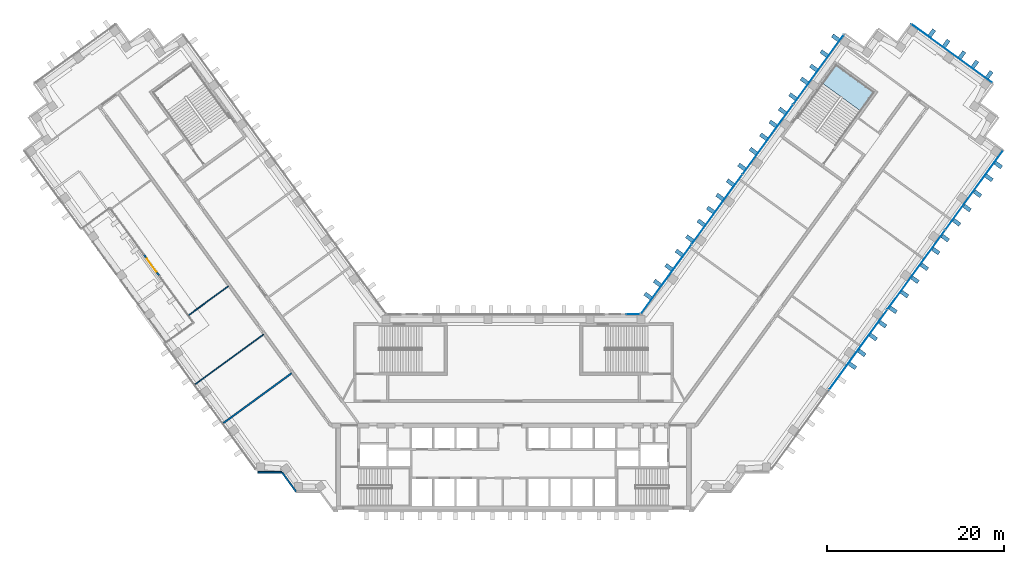
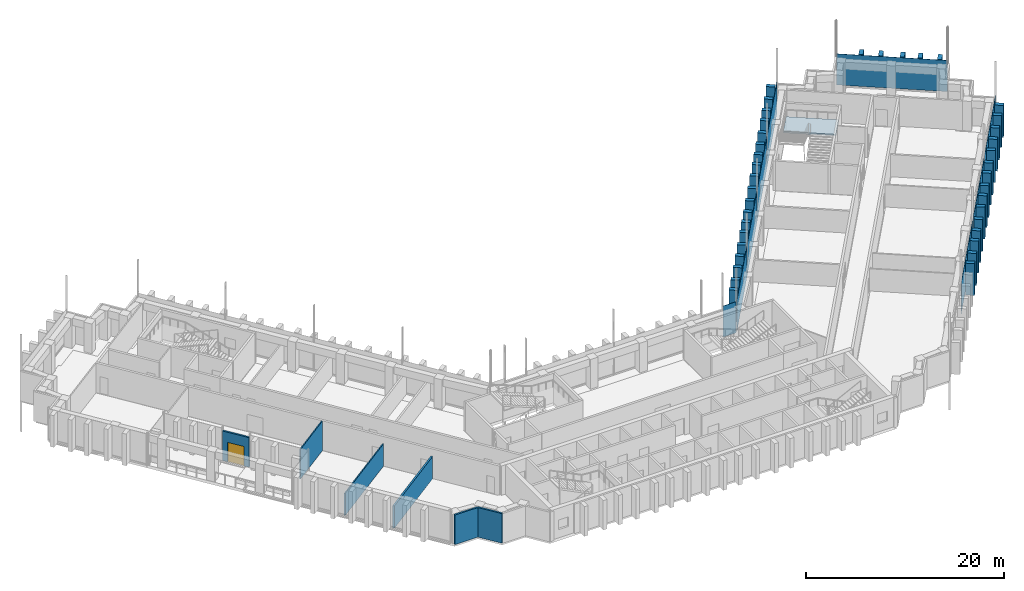
# One storey, part 9 of 19: 48 plates, 6 walls, 1 door, 1 slab, 1 opening, 5 elements without a shape of their own.
"""IFC4 building model written with IfcOpenShell, lengths in metres."""

from ifc_helpers import new_model, si_unit, direction, frame, frame_2d, origin, origin_2d, place, context, subcontext, project, spatial, polyline, rectangle, outline, extrude, material, layer, layer_set, type_object, element, fill, aggregate, save


model = new_model("IFC4")

# Units and contexts
model_context = context("Model", 3, precision=1e-05, world=origin(), true_north=direction((0.0, 1.0)))
body_context = subcontext(model_context, "Body", "Model", "MODEL_VIEW")
ifc_project = project(units=[si_unit("LENGTHUNIT", "METRE"), si_unit("AREAUNIT", "SQUARE_METRE"), si_unit("VOLUMEUNIT", "CUBIC_METRE"), si_unit("PLANEANGLEUNIT", "RADIAN"), si_unit("MASSUNIT", "GRAM", prefix="KILO")], contexts=[model_context])

# Site, building, storey
site_placement = place(None, origin())
site = spatial("IfcSite", under=ifc_project, at=site_placement, CompositionType="ELEMENT")
building_placement = place(site_placement, origin())
building = spatial("IfcBuilding", under=site, at=building_placement, Name="Quipu Civic Tower", CompositionType="ELEMENT")
storey_placement = place(building_placement, frame((0.0, 0.0, 47.0)))
storey = spatial("IfcBuildingStorey", under=building, at=storey_placement, Name="L10", CompositionType="ELEMENT", Elevation=47.0)

# Curtain wall, plates
ifc_material_1 = material(Name="Insulated glass unit", Category="glass")
curtain_wall_type = type_object("IfcCurtainWallType", Name="Office curtain wall CW1", PredefinedType="NOTDEFINED", material=ifc_material_1)
curtain_wall_1_placement = place(storey_placement, origin())
curtain_wall_1 = element("IfcCurtainWall", 1, at=curtain_wall_1_placement, inside=storey, type_object=curtain_wall_type, Name="Office curtain wall CW1 L09 run 19", PredefinedType="NOTDEFINED")
ifc_material_2 = material(Name="Insulated glass unit", Category="glass")
ifc_layer_1 = layer(ifc_material_2, 0.028076171875)
ifc_layer_set_1 = layer_set([ifc_layer_1], Name="Insulated glass unit")
plate_type_1 = type_object("IfcPlateType", Name="Glass panel CW1", PredefinedType="CURTAIN_PANEL", material=ifc_layer_set_1)
plate_1_placement = place(storey_placement, frame((38.880126953125, 7.101806640625, 0.16015625), z_axis=(0.0, 0.0, 1.0), x_axis=(0.587785559869, 0.809016770908, 0.0)))
plate_1 = element("IfcPlate", 2, at=plate_1_placement, type_object=plate_type_1, Name="CW1 panel 2.2", PredefinedType="CURTAIN_PANEL", context=body_context, shape_type="SweptSolid", body=[
    extrude(rectangle(XDim=11.062744140625, YDim=0.028076171875, at=origin_2d()), origin(), (0.0, 0.0, 1.0), 3.840087890625),
])
plate_2_placement = place(storey_placement, frame((45.4296875, 16.11669921875, 0.16015625), z_axis=(0.0, 0.0, 1.0), x_axis=(0.587785559869, 0.809016770908, 0.0)))
plate_2 = element("IfcPlate", 3, at=plate_2_placement, type_object=plate_type_1, Name="CW1 panel 3.2", PredefinedType="CURTAIN_PANEL", context=body_context, shape_type="SweptSolid", body=[
    extrude(rectangle(XDim=11.062744140625, YDim=0.028076171875, at=origin_2d()), origin(), (0.0, 0.0, 1.0), 3.840087890625),
])
plate_3_placement = place(storey_placement, frame((51.967529296875, 25.114990234375, 0.16015625), z_axis=(0.0, 0.0, 1.0), x_axis=(0.587785559869, 0.809016770908, 0.0)))
plate_3 = element("IfcPlate", 4, at=plate_3_placement, type_object=plate_type_1, Name="CW1 panel 4.2", PredefinedType="CURTAIN_PANEL", context=body_context, shape_type="SweptSolid", body=[
    extrude(rectangle(XDim=11.022705078125, YDim=0.028076171875, at=origin_2d()), origin(), (0.0, 0.0, 1.0), 3.840087890625),
])
aggregate(curtain_wall_1, [plate_1, plate_2, plate_3])

# Curtain wall, plate
curtain_wall_2_placement = place(storey_placement, origin())
curtain_wall_2 = element("IfcCurtainWall", 5, at=curtain_wall_2_placement, inside=storey, type_object=curtain_wall_type, Name="Office curtain wall CW1 L09 run 24", PredefinedType="NOTDEFINED")
plate_4_placement = place(storey_placement, frame((49.447998046875, 40.53173828125, 0.16015625), z_axis=(0.0, 0.0, 1.0), x_axis=(-0.809019348124, 0.587782012621, 0.0)))
plate_4 = element("IfcPlate", 6, at=plate_4_placement, type_object=plate_type_1, Name="CW1 panel 1.2", PredefinedType="CURTAIN_PANEL", context=body_context, shape_type="SweptSolid", body=[
    extrude(rectangle(XDim=11.239990234375, YDim=0.028076171875, at=origin_2d()), origin(), (0.0, 0.0, 1.0), 3.840087890625),
])
aggregate(curtain_wall_2, [plate_4])

# Curtain wall, plates
curtain_wall_3_placement = place(storey_placement, origin())
curtain_wall_3 = element("IfcCurtainWall", 7, at=curtain_wall_3_placement, inside=storey, type_object=curtain_wall_type, Name="Office curtain wall CW1 L09 run 29", PredefinedType="NOTDEFINED")
plate_5_placement = place(storey_placement, frame((34.413330078125, 38.722900390625, 0.16015625), z_axis=(0.0, 0.0, 1.0), x_axis=(-0.587785887566, -0.809016532822, 0.0)))
plate_5 = element("IfcPlate", 8, at=plate_5_placement, type_object=plate_type_1, Name="CW1 panel 1.2", PredefinedType="CURTAIN_PANEL", context=body_context, shape_type="SweptSolid", body=[
    extrude(rectangle(XDim=9.64111328125, YDim=0.028076171875, at=origin_2d()), origin(), (0.0, 0.0, 1.0), 3.840087890625),
])
plate_6_placement = place(storey_placement, frame((28.687744140625, 30.84228515625, 0.16015625), z_axis=(0.0, 0.0, 1.0), x_axis=(-0.587785887566, -0.809016532822, 0.0)))
plate_6 = element("IfcPlate", 9, at=plate_6_placement, type_object=plate_type_1, Name="CW1 panel 2.2", PredefinedType="CURTAIN_PANEL", context=body_context, shape_type="SweptSolid", body=[
    extrude(rectangle(XDim=9.68115234375, YDim=0.028076171875, at=origin_2d()), origin(), (0.0, 0.0, 1.0), 3.840087890625),
])
plate_7_placement = place(storey_placement, frame((22.950439453125, 22.9453125, 0.16015625), z_axis=(0.0, 0.0, 1.0), x_axis=(-0.587785887566, -0.809016532822, 0.0)))
plate_7 = element("IfcPlate", 10, at=plate_7_placement, type_object=plate_type_1, Name="CW1 panel 3.2", PredefinedType="CURTAIN_PANEL", context=body_context, shape_type="SweptSolid", body=[
    extrude(rectangle(XDim=9.68115234375, YDim=0.028076171875, at=origin_2d()), origin(), (0.0, 0.0, 1.0), 3.840087890625),
])
plate_8_placement = place(storey_placement, frame((17.224609375, 15.064697265625, 0.16015625), z_axis=(0.0, 0.0, 1.0), x_axis=(-0.587785887566, -0.809016532822, 0.0)))
plate_8 = element("IfcPlate", 11, at=plate_8_placement, type_object=plate_type_1, Name="CW1 panel 4.2", PredefinedType="CURTAIN_PANEL", context=body_context, shape_type="SweptSolid", body=[
    extrude(rectangle(XDim=9.64111328125, YDim=0.028076171875, at=origin_2d()), origin(), (0.0, 0.0, 1.0), 3.840087890625),
])
aggregate(curtain_wall_3, [plate_5, plate_6, plate_7, plate_8])

# Curtain wall, plate
curtain_wall_4_placement = place(storey_placement, origin())
curtain_wall_4 = element("IfcCurtainWall", 12, at=curtain_wall_4_placement, inside=storey, type_object=curtain_wall_type, Name="Office curtain wall CW1 L09 run 30", PredefinedType="NOTDEFINED")
plate_9_placement = place(storey_placement, frame((13.49951171875, 11.10009765625, 0.16015625), z_axis=(0.0, 0.0, 1.0), x_axis=(-1.0, 0.0, 0.0)))
plate_9 = element("IfcPlate", 13, at=plate_9_placement, type_object=plate_type_1, Name="CW1 panel 1.2", PredefinedType="CURTAIN_PANEL", context=body_context, shape_type="SweptSolid", body=[
    extrude(rectangle(XDim=1.529296875, YDim=0.028076171875, at=origin_2d()), origin(), (0.0, 0.0, 1.0), 3.840087890625),
])
aggregate(curtain_wall_4, [plate_9])

# Plates
ifc_material_3 = material(Name="Precast concrete C40/50", Category="concrete")
plate_type_2 = type_object("IfcPlateType", Name="Precast fin F1", PredefinedType="SHEET", material=ifc_material_3)
for number, where, z_axis, x_axis, name in (
    (14, (38.243896484375, 5.29052734375, 0.080078125), (0.0, 0.0, 1.0), (0.587785716149, 0.809016657363, 0.0), "Precast fin F1 L10.P16.8"),
    (15, (39.302001953125, 6.74658203125, 0.080078125), (0.0, 0.0, 1.0), (0.587785716149, 0.809016657363, 0.0), "Precast fin F1 L10.P16.9"),
    (16, (40.594970703125, 8.526611328125, 0.080078125), (0.0, 0.0, 1.0), (0.587785716149, 0.809016657363, 0.0), "Precast fin F1 L10.P16.10"),
    (17, (41.653076171875, 9.982666015625, 0.080078125), (0.0, 0.0, 1.0), (0.587785716149, 0.809016657363, 0.0), "Precast fin F1 L10.P16.11"),
    (18, (42.82861328125, 11.600830078125, 0.080078125), (0.0, 0.0, 1.0), (0.587785716149, 0.809016657363, 0.0), "Precast fin F1 L10.P16.12"),
    (19, (44.121826171875, 13.380615234375, 0.080078125), (0.0, 0.0, 1.0), (0.587785716149, 0.809016657363, 0.0), "Precast fin F1 L10.P16.13"),
    (20, (45.29736328125, 14.998779296875, 0.080078125), (0.0, 0.0, 1.0), (0.587785716149, 0.809016657363, 0.0), "Precast fin F1 L10.P16.14"),
    (21, (46.35546875, 16.454833984375, 0.080078125), (0.0, 0.0, 1.0), (0.587785716149, 0.809016657363, 0.0), "Precast fin F1 L10.P16.15"),
    (22, (47.6484375, 18.234619140625, 0.080078125), (0.0, 0.0, 1.0), (0.587785716149, 0.809016657363, 0.0), "Precast fin F1 L10.P16.16"),
    (23, (48.70654296875, 19.69091796875, 0.080078125), (0.0, 0.0, 1.0), (0.587785716149, 0.809016657363, 0.0), "Precast fin F1 L10.P16.17"),
    (24, (49.999755859375, 21.470703125, 0.080078125), (0.0, 0.0, 1.0), (0.587785716149, 0.809016657363, 0.0), "Precast fin F1 L10.P16.18"),
    (25, (51.17529296875, 23.0888671875, 0.080078125), (0.0, 0.0, 1.0), (0.587785716149, 0.809016657363, 0.0), "Precast fin F1 L10.P16.19"),
    (26, (52.350830078125, 24.706787109375, 0.080078125), (0.0, 0.0, 1.0), (0.587785716149, 0.809016657363, 0.0), "Precast fin F1 L10.P16.20"),
    (27, (53.643798828125, 26.48681640625, 0.080078125), (0.0, 0.0, 1.0), (0.587785716149, 0.809016657363, 0.0), "Precast fin F1 L10.P16.21"),
    (28, (54.701904296875, 27.94287109375, 0.080078125), (0.0, 0.0, 1.0), (0.587785716149, 0.809016657363, 0.0), "Precast fin F1 L10.P16.22"),
    (29, (53.6748046875, 38.140625, 0.080078125), (0.0, 0.0, 1.0), (-0.809021318545, 0.587779300537, 0.0), "Precast fin F1 L10.P21.1"),
    (30, (52.056884765625, 39.316162109375, 0.080078125), (0.0, 0.0, 1.0), (-0.809021318545, 0.587779300537, 0.0), "Precast fin F1 L10.P21.2"),
    (31, (50.6005859375, 40.374267578125, 0.080078125), (0.0, 0.0, 1.0), (-0.809021318545, 0.587779300537, 0.0), "Precast fin F1 L10.P21.3"),
    (32, (48.82080078125, 41.66748046875, 0.080078125), (0.0, 0.0, 1.0), (-0.809021318545, 0.587779300537, 0.0), "Precast fin F1 L10.P21.4"),
    (33, (47.20263671875, 42.843017578125, 0.080078125), (0.0, 0.0, 1.0), (-0.809021318545, 0.587779300537, 0.0), "Precast fin F1 L10.P21.5"),
    (34, (36.334716796875, 42.302978515625, 0.080078125), (0.0, 0.0, 1.0), (-0.587784944053, -0.809017218324, 0.0), "Precast fin F1 L10.P26.1"),
    (35, (35.04150390625, 40.52294921875, 0.080078125), (0.0, 0.0, 1.0), (-0.587784944053, -0.809017218324, 0.0), "Precast fin F1 L10.P26.2"),
    (36, (33.865966796875, 38.905029296875, 0.080078125), (0.0, 0.0, 1.0), (-0.587784944053, -0.809017218324, 0.0), "Precast fin F1 L10.P26.3"),
    (37, (32.807861328125, 37.44873046875, 0.080078125), (0.0, 0.0, 1.0), (-0.587784944053, -0.809017218324, 0.0), "Precast fin F1 L10.P26.4"),
    (38, (31.5146484375, 35.6689453125, 0.080078125), (0.0, 0.0, 1.0), (-0.587784944053, -0.809017218324, 0.0), "Precast fin F1 L10.P26.5"),
    (39, (30.339111328125, 34.05078125, 0.080078125), (0.0, 0.0, 1.0), (-0.587784944053, -0.809017218324, 0.0), "Precast fin F1 L10.P26.6"),
    (40, (29.28125, 32.5947265625, 0.080078125), (0.0, 0.0, 1.0), (-0.587784944053, -0.809017218324, 0.0), "Precast fin F1 L10.P26.7"),
    (41, (28.22314453125, 31.138427734375, 0.080078125), (0.0, 0.0, 1.0), (-0.587784944053, -0.809017218324, 0.0), "Precast fin F1 L10.P26.8"),
    (42, (27.047607421875, 29.5205078125, 0.080078125), (0.0, 0.0, 1.0), (-0.587784944053, -0.809017218324, 0.0), "Precast fin F1 L10.P26.9"),
    (43, (25.75439453125, 27.740478515625, 0.080078125), (0.0, 0.0, 1.0), (-0.587784944053, -0.809017218324, 0.0), "Precast fin F1 L10.P26.10"),
    (44, (24.46142578125, 25.960693359375, 0.080078125), (0.0, 0.0, 1.0), (-0.587784944053, -0.809017218324, 0.0), "Precast fin F1 L10.P26.11"),
    (45, (23.285888671875, 24.3427734375, 0.080078125), (0.0, 0.0, 1.0), (-0.587784944053, -0.809017218324, 0.0), "Precast fin F1 L10.P26.12"),
    (46, (22.227783203125, 22.886474609375, 0.080078125), (0.0, 0.0, 1.0), (-0.587784944053, -0.809017218324, 0.0), "Precast fin F1 L10.P26.13"),
    (47, (21.169677734375, 21.43017578125, 0.080078125), (0.0, 0.0, 1.0), (-0.587784944053, -0.809017218324, 0.0), "Precast fin F1 L10.P26.14"),
    (48, (19.876708984375, 19.650390625, 0.080078125), (0.0, 0.0, 1.0), (-0.587784944053, -0.809017218324, 0.0), "Precast fin F1 L10.P26.15"),
    (49, (18.701171875, 18.032470703125, 0.080078125), (0.0, 0.0, 1.0), (-0.587784944053, -0.809017218324, 0.0), "Precast fin F1 L10.P26.16"),
    (50, (17.525390625, 16.414306640625, 0.080078125), (0.0, 0.0, 1.0), (-0.587784944053, -0.809017218324, 0.0), "Precast fin F1 L10.P26.17"),
    (51, (16.232421875, 14.634521484375, 0.080078125), (0.0, 0.0, 1.0), (-0.587784944053, -0.809017218324, 0.0), "Precast fin F1 L10.P26.18"),
    (52, (15.17431640625, 13.17822265625, 0.080078125), (0.0, 0.0, 1.0), (-0.587784944053, -0.809017218324, 0.0), "Precast fin F1 L10.P26.19"),
):
    element("IfcPlate", number, at=place(storey_placement, frame(where, z_axis=z_axis, x_axis=x_axis)), inside=storey, type_object=plate_type_2, Name=name, PredefinedType="SHEET", context=body_context, shape_type="SweptSolid", body=[
        extrude(rectangle(XDim=0.449951171875, YDim=0.89990234375, at=origin_2d()), origin(), (0.0, 0.0, 1.0), 3.919921875),
    ])

# Stair, slab
ifc_material_4 = material(Name="Concrete C40/50", Category="concrete")
stair_type = type_object("IfcStairType", Name="Half turn stair 2600", PredefinedType="HALF_TURN_STAIR", material=ifc_material_4)
stair_placement = place(storey_placement, origin())
stair = element("IfcStair", 53, at=stair_placement, inside=storey, type_object=stair_type, Name="Exit stair 7", PredefinedType="HALF_TURN_STAIR")
ifc_material_5 = material(Name="Concrete C40/50", Category="concrete")
ifc_layer_2 = layer(ifc_material_5, 0.199951171875)
ifc_layer_set_2 = layer_set([ifc_layer_2], Name="Concrete C40/50")
slab_type = type_object("IfcSlabType", Name="Stair landing 200", PredefinedType="LANDING", material=ifc_layer_set_2)
slab_placement = place(storey_placement, frame((0.0, 0.0, 1.800048828125)))
slab = element("IfcSlab", 54, at=slab_placement, type_object=slab_type, Name="ST-7 landing 1", PredefinedType="LANDING", context=body_context, shape_type="SweptSolid", body=[
    extrude(outline(polyline([(39.16552734375, 34.034912109375), (40.69384765625, 36.138427734375), (36.365478515625, 39.282958984375), (34.837158203125, 37.179443359375), (39.16552734375, 34.034912109375)])), origin(), (0.0, 0.0, 1.0), 0.199951171875),
])
aggregate(stair, [slab])

# Walls
ifc_material_6 = material(Name="Fired clay blockwork", Category="masonry")
ifc_layer_3 = layer(ifc_material_6, 0.199951171875)
ifc_layer_set_3 = layer_set([ifc_layer_3], Name="Fired clay blockwork")
wall_type_1 = type_object("IfcWallType", Name="Blockwork wall 200", PredefinedType="SOLIDWALL", material=ifc_layer_set_3)
wall_1_placement = place(storey_placement, frame((-32.74462890625, -1.1728515625, 0.0), z_axis=(0.0, 0.0, 1.0), x_axis=(0.80760371321, 0.589725565334, 0.0)))
element("IfcWall", 55, at=wall_1_placement, inside=storey, type_object=wall_type_1, Name="Partition P16", PredefinedType="SOLIDWALL", context=body_context, shape_type="SweptSolid", body=[
    extrude(rectangle(XDim=9.55029296875, YDim=0.199951171875, at=frame_2d((4.775146484375, 0.0))), origin(), (0.0, 0.0, 1.0), 2.75),
])
ifc_material_7 = material(Name="Gypsum plasterboard on light gauge framing")
ifc_layer_4 = layer(ifc_material_7, 0.1201171875)
ifc_layer_set_4 = layer_set([ifc_layer_4], Name="Gypsum plasterboard on light gauge framing")
wall_type_2 = type_object("IfcWallType", Name="Partition 120 plasterboard", PredefinedType="PARTITIONING", material=ifc_layer_set_4)
wall_2_placement = place(storey_placement, frame((-36.626220703125, 11.0234375, 0.0), z_axis=(0.0, 0.0, 1.0), x_axis=(0.806442951957, 0.591311901824, 0.0)))
element("IfcWall", 56, at=wall_2_placement, inside=storey, type_object=wall_type_2, Name="Partition P04", PredefinedType="PARTITIONING", context=body_context, shape_type="SweptSolid", body=[
    extrude(rectangle(XDim=5.52099609375, YDim=0.1201171875, at=frame_2d((2.760498046875, 0.0))), origin(), (0.0, 0.0, 1.0), 3.64990234375),
])
wall_3_placement = place(storey_placement, frame((-35.919189453125, 3.196533203125, 0.0), z_axis=(0.0, 0.0, 1.0), x_axis=(0.807645841498, 0.589667868135, 0.0)))
element("IfcWall", 57, at=wall_3_placement, inside=storey, type_object=wall_type_2, Name="Partition P10", PredefinedType="PARTITIONING", context=body_context, shape_type="SweptSolid", body=[
    extrude(rectangle(XDim=9.550537109375, YDim=0.1201171875, at=frame_2d((4.775390625, 0.0))), origin(), (0.0, 0.0, 1.0), 2.75),
])
ifc_material_8 = material(Name="Precast concrete C40/50", Category="concrete")
wall_type_3 = type_object("IfcWallType", Name="Precast cladding wall", PredefinedType="SOLIDWALL", material=ifc_material_8)
wall_4_placement = place(storey_placement, frame((-28.829833984375, -6.71923828125, 0.0), z_axis=(0.0, 0.0, 1.0), x_axis=(1.0, 0.0, 0.0)))
element("IfcWall", 58, at=wall_4_placement, inside=storey, type_object=wall_type_3, Name="Precast cladding wall L10 P04", PredefinedType="SOLIDWALL", context=body_context, shape_type="SweptSolid", body=[
    extrude(rectangle(XDim=2.699951171875, YDim=0.199951171875, at=frame_2d((1.35009765625, 0.0))), origin(), (0.0, 0.0, 1.0), 3.64990234375),
])
wall_5_placement = place(storey_placement, frame((-26.1201171875, -6.72412109375, 0.0), z_axis=(0.0, 0.0, 1.0), x_axis=(0.587720002413, -0.809064397168, 0.0)))
element("IfcWall", 59, at=wall_5_placement, inside=storey, type_object=wall_type_3, Name="Precast cladding wall L10 P05", PredefinedType="SOLIDWALL", context=body_context, shape_type="SweptSolid", body=[
    extrude(rectangle(XDim=2.7001953125, YDim=0.199951171875, at=frame_2d((1.35009765625, 0.0))), origin(), (0.0, 0.0, 1.0), 3.64990234375),
])

# Wall, opening, door
ifc_material_9 = material(Name="Precast concrete C40/50", Category="concrete")
wall_type_4 = type_object("IfcWallType", Name="Precast door surround", PredefinedType="SOLIDWALL", material=ifc_material_9)
wall_6_placement = place(storey_placement, frame((-39.9560546875, 15.436767578125, 0.0), z_axis=(0.0, 0.0, 1.0), x_axis=(-0.58782869016, 0.808985433135, 0.0)))
wall_6 = element("IfcWall", 60, at=wall_6_placement, inside=storey, type_object=wall_type_4, Name="Door surround ED-L10-1", PredefinedType="SOLIDWALL", context=body_context, shape_type="SweptSolid", body=[
    extrude(rectangle(XDim=2.962890625, YDim=0.199951171875, at=frame_2d((1.4814453125, 0.0))), origin(), (0.0, 0.0, 1.0), 3.64990234375),
])
opening_placement = place(wall_6_placement, frame((0.58154296875, 0.0, 0.0)))
opening = element("IfcOpeningElement", 61, at=opening_placement, cuts=wall_6, Name="Opening ED-L10-1", PredefinedType="OPENING", context=body_context, shape_type="SweptSolid", body=[
    extrude(rectangle(XDim=1.800048828125, YDim=2.39990234375, at=frame_2d((0.89990234375, 1.199951171875))), frame((0.0, 0.10986328125, 0.0), z_axis=(0.0, -1.0, 0.0), x_axis=(1.0, 0.0, 0.0)), (0.0, 0.0, 1.0), 0.219970703125),
])
ifc_material_10 = material(Name="Aluminium framed glazed door", Category="aluminium")
door_type = type_object("IfcDoorType", Name="Terrace door E3", OperationType="DOUBLE_DOOR_SINGLE_SWING", PredefinedType="DOOR", material=ifc_material_10)
door_placement = place(opening_placement, origin())
door = element("IfcDoor", 62, at=door_placement, inside=storey, type_object=door_type, Name="E3 door ED-L10-1", OperationType="DOUBLE_DOOR_SINGLE_SWING", OverallHeight=2.39990234375, OverallWidth=1.800048828125, PredefinedType="DOOR", context=body_context, shape_type="SweptSolid", body=[
    extrude(rectangle(XDim=1.800048828125, YDim=2.39990234375, at=frame_2d((0.89990234375, 1.199951171875))), frame((0.0, 0.02490234375, 0.0), z_axis=(0.0, -1.0, 0.0), x_axis=(1.0, 0.0, 0.0)), (0.0, 0.0, 1.0), 0.050048828125),
])
fill(opening, door)

save(model, "model.ifc")
